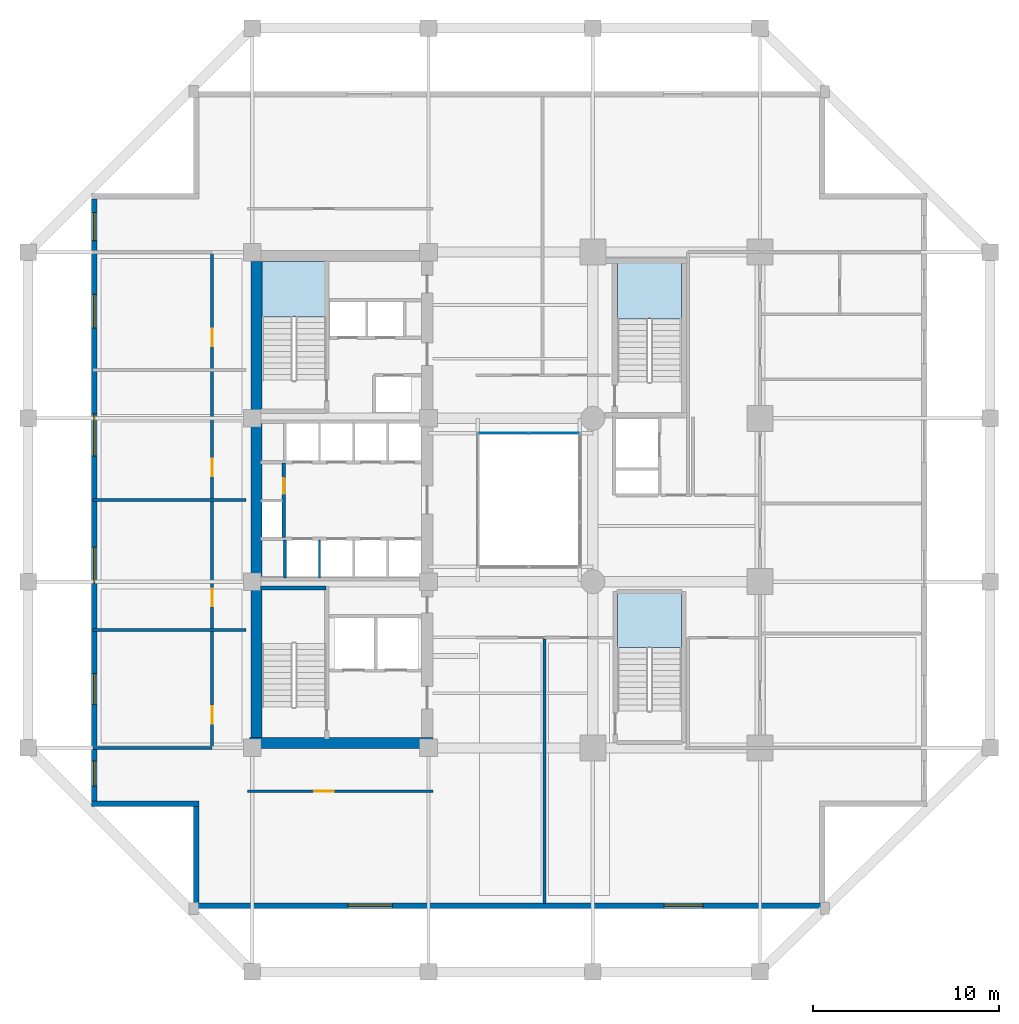
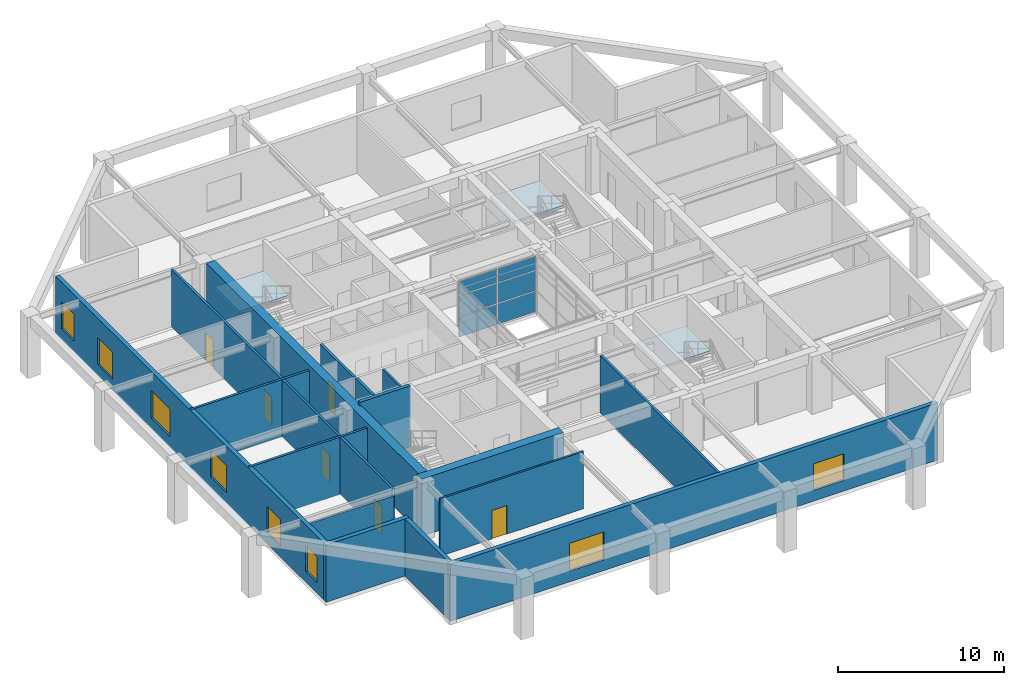
# One storey, part 6 of 13: 16 walls, 8 windows, 6 doors, 6 plates, 3 slabs, 14 openings, 4 elements without a shape of their own.
"""IFC4 building model written with IfcOpenShell, lengths in metres."""

from ifc_helpers import new_model, si_unit, direction, frame, frame_2d, origin, origin_2d, place, context, subcontext, project, spatial, polyline, rectangle, outline, extrude, material, layer, layer_set, type_object, element, fill, aggregate, save


model = new_model("IFC4")

# Units and contexts
model_context = context("Model", 3, precision=1e-05, world=origin(), true_north=direction((0.0, 1.0)))
body_context = subcontext(model_context, "Body", "Model", "MODEL_VIEW")
ifc_project = project(units=[si_unit("LENGTHUNIT", "METRE"), si_unit("AREAUNIT", "SQUARE_METRE"), si_unit("VOLUMEUNIT", "CUBIC_METRE"), si_unit("PLANEANGLEUNIT", "RADIAN"), si_unit("MASSUNIT", "GRAM", prefix="KILO")], contexts=[model_context])

# Site, building, storey
site_placement = place(None, origin())
site = spatial("IfcSite", under=ifc_project, at=site_placement, CompositionType="ELEMENT")
building_placement = place(site_placement, origin())
building = spatial("IfcBuilding", under=site, at=building_placement, Name="Kundavana Baori Tower", CompositionType="ELEMENT")
storey_placement = place(building_placement, frame((0.0, 0.0, 17.0)))
storey = spatial("IfcBuildingStorey", under=building, at=storey_placement, Name="L03", CompositionType="ELEMENT", Elevation=17.0)

# Curtain wall, plates
ifc_material_1 = material(Name="Thermally Broken Anodised Aluminium Framing", Category="aluminium")
ifc_layer_1 = layer(ifc_material_1, 0.175048828125, Name="CW-SYS-2")
ifc_layer_set_1 = layer_set([ifc_layer_1], Name="Thermally Broken Anodised Aluminium Framing")
curtain_wall_type = type_object("IfcCurtainWallType", Name="CW-SYS-2", PredefinedType="NOTDEFINED", material=ifc_layer_set_1)
curtain_wall_placement = place(storey_placement, origin())
curtain_wall = element("IfcCurtainWall", 1, at=curtain_wall_placement, inside=storey, type_object=curtain_wall_type, Name="L03 Atrium Glazed Curtain Wall N", PredefinedType="NOTDEFINED")
ifc_material_2 = material(Name="Double-Glazed Solar-Control Low-E Insulated Glass", Category="glass")
ifc_layer_2 = layer(ifc_material_2, 0.028076171875, Name="CW-PNL-GLS28")
ifc_layer_set_2 = layer_set([ifc_layer_2], Name="Double-Glazed Solar-Control Low-E Insulated Glass")
plate_type = type_object("IfcPlateType", Name="CW-PNL-GLS28", PredefinedType="CURTAIN_PANEL", material=ifc_layer_set_2)
plate_1_placement = place(storey_placement, frame((31.708740234375, 32.199951171875, 0.06494140625), z_axis=(0.0, 0.0, 1.0), x_axis=(-1.0, 0.0, 0.0)))
plate_1 = element("IfcPlate", 2, at=plate_1_placement, type_object=plate_type, Name="CW2 panel 1.1", PredefinedType="CURTAIN_PANEL", context=body_context, shape_type="SweptSolid", body=[
    extrude(rectangle(XDim=2.652587890625, YDim=0.028076171875, at=origin_2d()), origin(), (0.0, 0.0, 1.0), 1.506103515625),
])
plate_2_placement = place(storey_placement, frame((31.708740234375, 32.199951171875, 1.63623046875), z_axis=(0.0, 0.0, 1.0), x_axis=(-1.0, 0.0, 0.0)))
plate_2 = element("IfcPlate", 3, at=plate_2_placement, type_object=plate_type, Name="CW2 panel 1.2", PredefinedType="CURTAIN_PANEL", context=body_context, shape_type="SweptSolid", body=[
    extrude(rectangle(XDim=2.652587890625, YDim=0.028076171875, at=origin_2d()), origin(), (0.0, 0.0, 1.0), 1.4541015625),
])
plate_3_placement = place(storey_placement, frame((31.708740234375, 32.199951171875, 3.1552734375), z_axis=(0.0, 0.0, 1.0), x_axis=(-1.0, 0.0, 0.0)))
plate_3 = element("IfcPlate", 4, at=plate_3_placement, type_object=plate_type, Name="CW2 panel 1.3", PredefinedType="CURTAIN_PANEL", context=body_context, shape_type="SweptSolid", body=[
    extrude(rectangle(XDim=2.652587890625, YDim=0.028076171875, at=origin_2d()), origin(), (0.0, 0.0, 1.0), 0.999755859375),
])
plate_4_placement = place(storey_placement, frame((28.9912109375, 32.199951171875, 0.06494140625), z_axis=(0.0, 0.0, 1.0), x_axis=(-1.0, 0.0, 0.0)))
plate_4 = element("IfcPlate", 5, at=plate_4_placement, type_object=plate_type, Name="CW2 panel 2.1", PredefinedType="CURTAIN_PANEL", context=body_context, shape_type="SweptSolid", body=[
    extrude(rectangle(XDim=2.652587890625, YDim=0.028076171875, at=origin_2d()), origin(), (0.0, 0.0, 1.0), 1.506103515625),
])
plate_5_placement = place(storey_placement, frame((28.9912109375, 32.199951171875, 1.63623046875), z_axis=(0.0, 0.0, 1.0), x_axis=(-1.0, 0.0, 0.0)))
plate_5 = element("IfcPlate", 6, at=plate_5_placement, type_object=plate_type, Name="CW2 panel 2.2", PredefinedType="CURTAIN_PANEL", context=body_context, shape_type="SweptSolid", body=[
    extrude(rectangle(XDim=2.652587890625, YDim=0.028076171875, at=origin_2d()), origin(), (0.0, 0.0, 1.0), 1.4541015625),
])
plate_6_placement = place(storey_placement, frame((28.9912109375, 32.199951171875, 3.1552734375), z_axis=(0.0, 0.0, 1.0), x_axis=(-1.0, 0.0, 0.0)))
plate_6 = element("IfcPlate", 7, at=plate_6_placement, type_object=plate_type, Name="CW2 panel 2.3", PredefinedType="CURTAIN_PANEL", context=body_context, shape_type="SweptSolid", body=[
    extrude(rectangle(XDim=2.652587890625, YDim=0.028076171875, at=origin_2d()), origin(), (0.0, 0.0, 1.0), 0.999755859375),
])
aggregate(curtain_wall, [plate_1, plate_2, plate_3, plate_4, plate_5, plate_6])

# Stair, slab
ifc_material_3 = material(Name="Concrete C40/50", Category="concrete")
stair_type = type_object("IfcStairType", Name="STR-DOG-1650", PredefinedType="HALF_TURN_STAIR", material=ifc_material_3)
stair_1_placement = place(storey_placement, origin())
stair_1 = element("IfcStair", 8, at=stair_1_placement, inside=storey, type_object=stair_type, Name="L03 Protected Exit Stair ST2", PredefinedType="HALF_TURN_STAIR")
ifc_material_4 = material(Name="Concrete C40/50", Category="concrete")
ifc_layer_3 = layer(ifc_material_4, 0.199951171875, Name="SLB-LND-200")
ifc_layer_set_3 = layer_set([ifc_layer_3], Name="Concrete C40/50")
slab_type = type_object("IfcSlabType", Name="SLB-LND-200", PredefinedType="LANDING", material=ifc_layer_set_3)
slab_1_placement = place(storey_placement, frame((0.0, 0.0, 2.050048828125)))
slab_1 = element("IfcSlab", 9, at=slab_1_placement, type_object=slab_type, Name="ST2 landing 1", PredefinedType="LANDING", context=body_context, shape_type="SweptSolid", body=[
    extrude(outline(polyline([(19.43994140625, 38.4599609375), (19.43994140625, 41.449951171875), (15.97998046875, 41.449951171875), (15.97998046875, 38.4599609375), (19.43994140625, 38.4599609375)])), origin(), (0.0, 0.0, 1.0), 0.199951171875),
])
aggregate(stair_1, [slab_1])

stair_2_placement = place(storey_placement, origin())
stair_2 = element("IfcStair", 10, at=stair_2_placement, inside=storey, type_object=stair_type, Name="L03 Protected Exit Stair ST3", PredefinedType="HALF_TURN_STAIR")
slab_2_placement = place(storey_placement, frame((0.0, 0.0, 2.050048828125)))
slab_2 = element("IfcSlab", 11, at=slab_2_placement, type_object=slab_type, Name="ST3 landing 1", PredefinedType="LANDING", context=body_context, shape_type="SweptSolid", body=[
    extrude(outline(polyline([(38.580078125, 38.360107421875), (38.580078125, 41.35009765625), (35.1201171875, 41.35009765625), (35.1201171875, 38.360107421875), (38.580078125, 38.360107421875)])), origin(), (0.0, 0.0, 1.0), 0.199951171875),
])
aggregate(stair_2, [slab_2])

stair_3_placement = place(storey_placement, origin())
stair_3 = element("IfcStair", 12, at=stair_3_placement, inside=storey, type_object=stair_type, Name="L03 Podium Atrium Stair ST4", PredefinedType="HALF_TURN_STAIR")
slab_3_placement = place(storey_placement, frame((0.0, 0.0, 2.050048828125)))
slab_3 = element("IfcSlab", 13, at=slab_3_placement, type_object=slab_type, Name="ST4 landing 1", PredefinedType="LANDING", context=body_context, shape_type="SweptSolid", body=[
    extrude(outline(polyline([(38.580078125, 20.659912109375), (38.580078125, 23.64990234375), (35.1201171875, 23.64990234375), (35.1201171875, 20.659912109375), (38.580078125, 20.659912109375)])), origin(), (0.0, 0.0, 1.0), 0.199951171875),
])
aggregate(stair_3, [slab_3])

# Walls
ifc_material_5 = material(Name="Concrete C50/60", Category="concrete")
ifc_layer_4 = layer(ifc_material_5, 0.39990234375, Name="WL-CORE-400")
ifc_layer_set_4 = layer_set([ifc_layer_4], Name="Concrete C50/60")
wall_type_1 = type_object("IfcWallType", Name="WL-CORE-400", PredefinedType="SHEAR", material=ifc_layer_set_4)
wall_1_placement = place(storey_placement, frame((15.89990234375, 23.860107421875, 0.0), z_axis=(0.0, 0.0, 1.0), x_axis=(1.0, 0.0, 0.0)))
element("IfcWall", 14, at=wall_1_placement, inside=storey, type_object=wall_type_1, Name="WL-L03-ST1-N", PredefinedType="SHEAR", context=body_context, shape_type="SweptSolid", body=[
    extrude(rectangle(XDim=3.52001953125, YDim=0.239990234375, at=frame_2d((1.760009765625, 0.0))), origin(), (0.0, 0.0, 1.0), 4.5),
])
ifc_material_6 = material(Name="Concrete C60/75", Category="concrete")
ifc_layer_5 = layer(ifc_material_6, 0.60009765625, Name="WL-CORE-600")
ifc_layer_set_5 = layer_set([ifc_layer_5], Name="Concrete C60/75")
wall_type_2 = type_object("IfcWallType", Name="WL-CORE-600", PredefinedType="SHEAR", material=ifc_layer_set_5)
wall_2_placement = place(storey_placement, frame((15.300048828125, 15.510009765625, 0.0), z_axis=(0.0, 0.0, 1.0), x_axis=(1.0, 0.0, 0.0)))
element("IfcWall", 15, at=wall_2_placement, inside=storey, type_object=wall_type_2, Name="L03 Offset Core South Shear Wall", PredefinedType="SHEAR", context=body_context, shape_type="SweptSolid", body=[
    extrude(rectangle(XDim=9.8798828125, YDim=0.60009765625, at=frame_2d((4.93994140625, 0.0))), origin(), (0.0, 0.0, 1.0), 4.219970703125),
])
wall_3_placement = place(storey_placement, frame((15.68994140625, 15.81005859375, 0.0), z_axis=(0.0, 0.0, 1.0), x_axis=(0.0, 1.0, 0.0)))
element("IfcWall", 16, at=wall_3_placement, inside=storey, type_object=wall_type_2, Name="L03 Offset Core West Shear Wall", PredefinedType="SHEAR", context=body_context, shape_type="SweptSolid", body=[
    extrude(rectangle(XDim=25.6298828125, YDim=0.60009765625, at=frame_2d((12.81494140625, 0.0))), origin(), (0.0, 0.0, 1.0), 4.219970703125),
])

# Wall, openings, windows
ifc_material_7 = material(Name="Red-Buff Dholpur Sandstone Cladding on Concrete C40/50", Category="masonry")
ifc_layer_6 = layer(ifc_material_7, 0.300048828125, Name="WL-EXT-SAND-300")
ifc_layer_set_6 = layer_set([ifc_layer_6], Name="Red-Buff Dholpur Sandstone Cladding on Concrete C40/50")
wall_type_3 = type_object("IfcWallType", Name="WL-EXT-SAND-300", PredefinedType="STANDARD", material=ifc_layer_set_6)
wall_4_placement = place(storey_placement, frame((12.300048828125, 6.75, 0.0), z_axis=(0.0, 0.0, 1.0), x_axis=(1.0, 0.0, 0.0)))
wall_4 = element("IfcWall", 17, at=wall_4_placement, inside=storey, type_object=wall_type_3, Name="L03 Exterior Insulated Facade Wall 01", PredefinedType="STANDARD", context=body_context, shape_type="SweptSolid", body=[
    extrude(rectangle(XDim=34.0, YDim=0.300048828125, at=frame_2d((17.0, 0.0))), origin(), (0.0, 0.0, 1.0), 4.219970703125),
])
opening_1_placement = place(wall_4_placement, frame((8.304931640625, 0.0, 0.800048828125)))
opening_1 = element("IfcOpeningElement", 18, at=opening_1_placement, cuts=wall_4, Name="Opening W-04", PredefinedType="OPENING", context=body_context, shape_type="SweptSolid", body=[
    extrude(rectangle(XDim=2.39990234375, YDim=2.050048828125, at=frame_2d((1.199951171875, 1.02490234375))), frame((0.0, 0.16015625, 0.0), z_axis=(0.0, -1.0, 0.0), x_axis=(1.0, 0.0, 0.0)), (0.0, 0.0, 1.0), 0.320068359375),
])
opening_2_placement = place(wall_4_placement, frame((25.344970703125, 0.0, 0.800048828125)))
opening_2 = element("IfcOpeningElement", 19, at=opening_2_placement, cuts=wall_4, Name="Opening W-05", PredefinedType="OPENING", context=body_context, shape_type="SweptSolid", body=[
    extrude(rectangle(XDim=2.10009765625, YDim=1.949951171875, at=frame_2d((1.050048828125, 0.97509765625))), frame((0.0, 0.16015625, 0.0), z_axis=(0.0, -1.0, 0.0), x_axis=(1.0, 0.0, 0.0)), (0.0, 0.0, 1.0), 0.320068359375),
])
ifc_material_8 = material(Name="Double-Glazed Solar-Control Low-E Insulated Glass", Category="glass")
window_type_1 = type_object("IfcWindowType", Name="WIN-LOG-2100x1950", PartitioningType="SINGLE_PANEL", PredefinedType="WINDOW", material=ifc_material_8)
window_1_placement = place(opening_2_placement, origin())
window_1 = element("IfcWindow", 20, at=window_1_placement, inside=storey, type_object=window_type_1, Name="L03 Recessed Loggia Window S-2", OverallHeight=1.949951171875, OverallWidth=2.10009765625, PartitioningType="SINGLE_PANEL", PredefinedType="WINDOW", context=body_context, shape_type="SweptSolid", body=[
    extrude(rectangle(XDim=2.10009765625, YDim=1.949951171875, at=frame_2d((1.050048828125, 0.97509765625))), frame((0.0, 0.030029296875, 0.0), z_axis=(0.0, -1.0, 0.0), x_axis=(1.0, 0.0, 0.0)), (0.0, 0.0, 1.0), 0.06005859375),
])
fill(opening_2, window_1)
ifc_material_9 = material(Name="Double-Glazed Solar-Control Low-E Insulated Glass", Category="glass")
window_type_2 = type_object("IfcWindowType", Name="WIN-LOG-2400x2050", PartitioningType="SINGLE_PANEL", PredefinedType="WINDOW", material=ifc_material_9)
window_2_placement = place(opening_1_placement, origin())
window_2 = element("IfcWindow", 21, at=window_2_placement, inside=storey, type_object=window_type_2, Name="L03 Recessed Loggia Window S-1", OverallHeight=2.050048828125, OverallWidth=2.39990234375, PartitioningType="SINGLE_PANEL", PredefinedType="WINDOW", context=body_context, shape_type="SweptSolid", body=[
    extrude(rectangle(XDim=2.39990234375, YDim=2.050048828125, at=frame_2d((1.199951171875, 1.02490234375))), frame((0.0, 0.030029296875, 0.0), z_axis=(0.0, -1.0, 0.0), x_axis=(1.0, 0.0, 0.0)), (0.0, 0.0, 1.0), 0.06005859375),
])
fill(opening_1, window_2)

wall_5_placement = place(storey_placement, frame((6.949951171875, 44.800048828125, 0.0), z_axis=(0.0, 0.0, 1.0), x_axis=(0.0, -1.0, 0.0)))
wall_5 = element("IfcWall", 22, at=wall_5_placement, inside=storey, type_object=wall_type_3, Name="L03 Exterior Insulated Facade Wall 10", PredefinedType="STANDARD", context=body_context, shape_type="SweptSolid", body=[
    extrude(rectangle(XDim=32.400146484375, YDim=0.300048828125, at=frame_2d((16.2001953125, 0.0))), origin(), (0.0, 0.0, 1.0), 4.219970703125),
])
opening_3_placement = place(wall_5_placement, frame((30.2451171875, 0.0, 0.800048828125)))
opening_3 = element("IfcOpeningElement", 23, at=opening_3_placement, cuts=wall_5, Name="Opening W-07", PredefinedType="OPENING", context=body_context, shape_type="SweptSolid", body=[
    extrude(rectangle(XDim=1.35009765625, YDim=1.89990234375, at=frame_2d((0.675048828125, 0.949951171875))), frame((0.0, 0.16015625, 0.0), z_axis=(0.0, -1.0, 0.0), x_axis=(1.0, 0.0, 0.0)), (0.0, 0.0, 1.0), 0.320068359375),
])
opening_4_placement = place(wall_5_placement, frame((25.550048828125, 0.0, 0.800048828125)))
opening_4 = element("IfcOpeningElement", 24, at=opening_4_placement, cuts=wall_5, Name="Opening W-08", PredefinedType="OPENING", context=body_context, shape_type="SweptSolid", body=[
    extrude(rectangle(XDim=1.64990234375, YDim=1.949951171875, at=frame_2d((0.824951171875, 0.97509765625))), frame((0.0, 0.16015625, 0.0), z_axis=(0.0, -1.0, 0.0), x_axis=(1.0, 0.0, 0.0)), (0.0, 0.0, 1.0), 0.320068359375),
])
opening_5_placement = place(wall_5_placement, frame((18.72509765625, 0.0, 0.800048828125)))
opening_5 = element("IfcOpeningElement", 25, at=opening_5_placement, cuts=wall_5, Name="Opening W-09", PredefinedType="OPENING", context=body_context, shape_type="SweptSolid", body=[
    extrude(rectangle(XDim=1.949951171875, YDim=2.0, at=frame_2d((0.97509765625, 1.0))), frame((0.0, 0.16015625, 0.0), z_axis=(0.0, -1.0, 0.0), x_axis=(1.0, 0.0, 0.0)), (0.0, 0.0, 1.0), 0.320068359375),
])
opening_6_placement = place(wall_5_placement, frame((11.574951171875, 0.0, 0.800048828125)))
opening_6 = element("IfcOpeningElement", 26, at=opening_6_placement, cuts=wall_5, Name="Opening W-10", PredefinedType="OPENING", context=body_context, shape_type="SweptSolid", body=[
    extrude(rectangle(XDim=2.25, YDim=2.0, at=frame_2d((1.125, 1.0))), frame((0.0, 0.16015625, 0.0), z_axis=(0.0, -1.0, 0.0), x_axis=(1.0, 0.0, 0.0)), (0.0, 0.0, 1.0), 0.320068359375),
])
opening_7_placement = place(wall_5_placement, frame((5.125, 0.0, 0.800048828125)))
opening_7 = element("IfcOpeningElement", 27, at=opening_7_placement, cuts=wall_5, Name="Opening W-01", PredefinedType="OPENING", context=body_context, shape_type="SweptSolid", body=[
    extrude(rectangle(XDim=1.800048828125, YDim=2.0, at=frame_2d((0.89990234375, 1.0))), frame((0.0, 0.16015625, 0.0), z_axis=(0.0, -1.0, 0.0), x_axis=(1.0, 0.0, 0.0)), (0.0, 0.0, 1.0), 0.320068359375),
])
opening_8_placement = place(wall_5_placement, frame((0.72998046875, 0.0, 0.800048828125)))
opening_8 = element("IfcOpeningElement", 28, at=opening_8_placement, cuts=wall_5, Name="Opening W-02", PredefinedType="OPENING", context=body_context, shape_type="SweptSolid", body=[
    extrude(rectangle(XDim=1.5, YDim=2.0, at=frame_2d((0.75, 1.0))), frame((0.0, 0.16015625, 0.0), z_axis=(0.0, -1.0, 0.0), x_axis=(1.0, 0.0, 0.0)), (0.0, 0.0, 1.0), 0.320068359375),
])
ifc_material_10 = material(Name="Double-Glazed Solar-Control Low-E Insulated Glass", Category="glass")
window_type_3 = type_object("IfcWindowType", Name="WIN-LOG-1350x1900", PartitioningType="SINGLE_PANEL", PredefinedType="WINDOW", material=ifc_material_10)
window_3_placement = place(opening_3_placement, origin())
window_3 = element("IfcWindow", 29, at=window_3_placement, inside=storey, type_object=window_type_3, Name="L03 Recessed Loggia Window W-1", OverallHeight=1.89990234375, OverallWidth=1.35009765625, PartitioningType="SINGLE_PANEL", PredefinedType="WINDOW", context=body_context, shape_type="SweptSolid", body=[
    extrude(rectangle(XDim=1.35009765625, YDim=1.89990234375, at=frame_2d((0.675048828125, 0.949951171875))), frame((0.0, 0.030029296875, 0.0), z_axis=(0.0, -1.0, 0.0), x_axis=(1.0, 0.0, 0.0)), (0.0, 0.0, 1.0), 0.06005859375),
])
fill(opening_3, window_3)
ifc_material_11 = material(Name="Double-Glazed Solar-Control Low-E Insulated Glass", Category="glass")
window_type_4 = type_object("IfcWindowType", Name="WIN-LOG-1500x2000", PartitioningType="SINGLE_PANEL", PredefinedType="WINDOW", material=ifc_material_11)
window_4_placement = place(opening_8_placement, origin())
window_4 = element("IfcWindow", 30, at=window_4_placement, inside=storey, type_object=window_type_4, Name="L03 Recessed Loggia Window W-6", OverallHeight=2.0, OverallWidth=1.5, PartitioningType="SINGLE_PANEL", PredefinedType="WINDOW", context=body_context, shape_type="SweptSolid", body=[
    extrude(rectangle(XDim=1.5, YDim=2.0, at=frame_2d((0.75, 1.0))), frame((0.0, 0.030029296875, 0.0), z_axis=(0.0, -1.0, 0.0), x_axis=(1.0, 0.0, 0.0)), (0.0, 0.0, 1.0), 0.06005859375),
])
fill(opening_8, window_4)
ifc_material_12 = material(Name="Double-Glazed Solar-Control Low-E Insulated Glass", Category="glass")
window_type_5 = type_object("IfcWindowType", Name="WIN-LOG-1650x1950", PartitioningType="SINGLE_PANEL", PredefinedType="WINDOW", material=ifc_material_12)
window_5_placement = place(opening_4_placement, origin())
window_5 = element("IfcWindow", 31, at=window_5_placement, inside=storey, type_object=window_type_5, Name="L03 Recessed Loggia Window W-2", OverallHeight=1.949951171875, OverallWidth=1.64990234375, PartitioningType="SINGLE_PANEL", PredefinedType="WINDOW", context=body_context, shape_type="SweptSolid", body=[
    extrude(rectangle(XDim=1.64990234375, YDim=1.949951171875, at=frame_2d((0.824951171875, 0.97509765625))), frame((0.0, 0.030029296875, 0.0), z_axis=(0.0, -1.0, 0.0), x_axis=(1.0, 0.0, 0.0)), (0.0, 0.0, 1.0), 0.06005859375),
])
fill(opening_4, window_5)
ifc_material_13 = material(Name="Double-Glazed Solar-Control Low-E Insulated Glass", Category="glass")
window_type_6 = type_object("IfcWindowType", Name="WIN-LOG-1800x2000", PartitioningType="SINGLE_PANEL", PredefinedType="WINDOW", material=ifc_material_13)
window_6_placement = place(opening_7_placement, origin())
window_6 = element("IfcWindow", 32, at=window_6_placement, inside=storey, type_object=window_type_6, Name="L03 Recessed Loggia Window W-5", OverallHeight=2.0, OverallWidth=1.800048828125, PartitioningType="SINGLE_PANEL", PredefinedType="WINDOW", context=body_context, shape_type="SweptSolid", body=[
    extrude(rectangle(XDim=1.800048828125, YDim=2.0, at=frame_2d((0.89990234375, 1.0))), frame((0.0, 0.030029296875, 0.0), z_axis=(0.0, -1.0, 0.0), x_axis=(1.0, 0.0, 0.0)), (0.0, 0.0, 1.0), 0.06005859375),
])
fill(opening_7, window_6)
ifc_material_14 = material(Name="Double-Glazed Solar-Control Low-E Insulated Glass", Category="glass")
window_type_7 = type_object("IfcWindowType", Name="WIN-LOG-1950x2000", PartitioningType="SINGLE_PANEL", PredefinedType="WINDOW", material=ifc_material_14)
window_7_placement = place(opening_5_placement, origin())
window_7 = element("IfcWindow", 33, at=window_7_placement, inside=storey, type_object=window_type_7, Name="L03 Recessed Loggia Window W-3", OverallHeight=2.0, OverallWidth=1.949951171875, PartitioningType="SINGLE_PANEL", PredefinedType="WINDOW", context=body_context, shape_type="SweptSolid", body=[
    extrude(rectangle(XDim=1.949951171875, YDim=2.0, at=frame_2d((0.97509765625, 1.0))), frame((0.0, 0.030029296875, 0.0), z_axis=(0.0, -1.0, 0.0), x_axis=(1.0, 0.0, 0.0)), (0.0, 0.0, 1.0), 0.06005859375),
])
fill(opening_5, window_7)
ifc_material_15 = material(Name="Double-Glazed Solar-Control Low-E Insulated Glass", Category="glass")
window_type_8 = type_object("IfcWindowType", Name="WIN-LOG-2250x2000", PartitioningType="SINGLE_PANEL", PredefinedType="WINDOW", material=ifc_material_15)
window_8_placement = place(opening_6_placement, origin())
window_8 = element("IfcWindow", 34, at=window_8_placement, inside=storey, type_object=window_type_8, Name="L03 Recessed Loggia Window W-4", OverallHeight=2.0, OverallWidth=2.25, PartitioningType="SINGLE_PANEL", PredefinedType="WINDOW", context=body_context, shape_type="SweptSolid", body=[
    extrude(rectangle(XDim=2.25, YDim=2.0, at=frame_2d((1.125, 1.0))), frame((0.0, 0.030029296875, 0.0), z_axis=(0.0, -1.0, 0.0), x_axis=(1.0, 0.0, 0.0)), (0.0, 0.0, 1.0), 0.06005859375),
])
fill(opening_6, window_8)

# Walls
wall_6_placement = place(storey_placement, frame((6.800048828125, 12.25, 0.0), z_axis=(0.0, 0.0, 1.0), x_axis=(1.0, 0.0, 0.0)))
element("IfcWall", 35, at=wall_6_placement, inside=storey, type_object=wall_type_3, Name="L03 Exterior Insulated Facade Wall 11", PredefinedType="STANDARD", context=body_context, shape_type="SweptSolid", body=[
    extrude(rectangle(XDim=5.800048828125, YDim=0.300048828125, at=frame_2d((2.89990234375, 0.0))), origin(), (0.0, 0.0, 1.0), 4.219970703125),
])
wall_7_placement = place(storey_placement, frame((12.449951171875, 12.10009765625, 0.0), z_axis=(0.0, 0.0, 1.0), x_axis=(0.0, -1.0, 0.0)))
element("IfcWall", 36, at=wall_7_placement, inside=storey, type_object=wall_type_3, Name="L03 Exterior Insulated Facade Wall 12", PredefinedType="STANDARD", context=body_context, shape_type="SweptSolid", body=[
    extrude(rectangle(XDim=5.2001953125, YDim=0.300048828125, at=frame_2d((2.60009765625, 0.0))), origin(), (0.0, 0.0, 1.0), 4.219970703125),
])
ifc_material_16 = material(Name="Acoustic Gypsum Plasterboard on Galvanised Steel Studs", Category="steel")
ifc_layer_7 = layer(ifc_material_16, 0.1201171875, Name="WL-PART-120")
ifc_layer_set_7 = layer_set([ifc_layer_7], Name="Acoustic Gypsum Plasterboard on Galvanised Steel Studs")
wall_type_4 = type_object("IfcWallType", Name="WL-PART-120", PredefinedType="PARTITIONING", material=ifc_layer_set_7)
wall_8_placement = place(storey_placement, frame((19.080078125, 24.39990234375, 0.0), z_axis=(0.0, 0.0, 1.0), x_axis=(0.0, 1.0, 0.0)))
element("IfcWall", 37, at=wall_8_placement, inside=storey, type_object=wall_type_4, Name="WL-L03-LPLOW-D1", PredefinedType="PARTITIONING", context=body_context, shape_type="SweptSolid", body=[
    extrude(rectangle(XDim=2.050048828125, YDim=0.1201171875, at=frame_2d((1.02490234375, 0.0))), origin(), (0.0, 0.0, 1.0), 4.219970703125),
])

# Wall, opening, door
ifc_material_17 = material(Name="Acoustic Gypsum Plasterboard on Galvanised Steel Studs", Category="steel")
ifc_layer_8 = layer(ifc_material_17, 0.135009765625, Name="WL-PART-135")
ifc_layer_set_8 = layer_set([ifc_layer_8], Name="Acoustic Gypsum Plasterboard on Galvanised Steel Studs")
wall_type_5 = type_object("IfcWallType", Name="WL-PART-135", PredefinedType="PARTITIONING", material=ifc_layer_set_8)
wall_9_placement = place(storey_placement, frame((15.199951171875, 12.919921875, 0.0), z_axis=(0.0, 0.0, 1.0), x_axis=(1.0, 0.0, 0.0)))
wall_9 = element("IfcWall", 38, at=wall_9_placement, inside=storey, type_object=wall_type_5, Name="WL-L03-SC", PredefinedType="PARTITIONING", context=body_context, shape_type="SweptSolid", body=[
    extrude(rectangle(XDim=10.0, YDim=0.135009765625, at=frame_2d((5.0, 0.0))), origin(), (0.0, 0.0, 1.0), 4.219970703125),
])
opening_9_placement = place(wall_9_placement, frame((3.60009765625, 0.0, 0.0)))
opening_9 = element("IfcOpeningElement", 39, at=opening_9_placement, cuts=wall_9, Name="Opening ID-105", PredefinedType="OPENING", context=body_context, shape_type="SweptSolid", body=[
    extrude(rectangle(XDim=1.050048828125, YDim=2.10009765625, at=frame_2d((0.52490234375, 1.050048828125))), frame((0.0, 0.07763671875, 0.0), z_axis=(0.0, -1.0, 0.0), x_axis=(1.0, 0.0, 0.0)), (0.0, 0.0, 1.0), 0.155029296875),
])
ifc_material_18 = material(Name="Engineered Teak Solid-Core Timber Veneer", Category="wood")
door_type_1 = type_object("IfcDoorType", Name="DR-INT-1050", OperationType="NOTDEFINED", PredefinedType="DOOR", material=ifc_material_18)
door_1_placement = place(opening_9_placement, frame((1.050048828125, 0.0, 0.0), z_axis=(0.0, 0.0, 1.0), x_axis=(-1.0, 0.0, 0.0)))
door_1 = element("IfcDoor", 40, at=door_1_placement, inside=storey, type_object=door_type_1, Name="DR-L03-RSW", OperationType="SINGLE_SWING_LEFT", OverallHeight=2.10009765625, OverallWidth=1.050048828125, PredefinedType="DOOR", context=body_context, shape_type="SweptSolid", body=[
    extrude(rectangle(XDim=1.050048828125, YDim=2.10009765625, at=frame_2d((0.52490234375, 1.050048828125))), frame((0.0, 0.02490234375, 0.0), z_axis=(0.0, -1.0, 0.0), x_axis=(1.0, 0.0, 0.0)), (0.0, 0.0, 1.0), 0.050048828125),
])
fill(opening_9, door_1)

# Wall, openings, doors
ifc_material_19 = material(Name="Fire-Rated Gypsum Drywall on Galvanised Steel Studs", Category="steel")
ifc_layer_9 = layer(ifc_material_19, 0.1650390625, Name="WL-PART-165")
ifc_layer_set_9 = layer_set([ifc_layer_9], Name="Fire-Rated Gypsum Drywall on Galvanised Steel Studs")
wall_type_6 = type_object("IfcWallType", Name="WL-PART-165", PredefinedType="PARTITIONING", material=ifc_layer_set_9)
wall_10_placement = place(storey_placement, frame((13.300048828125, 15.25, 0.0), z_axis=(0.0, 0.0, 1.0), x_axis=(0.0, 1.0, 0.0)))
wall_10 = element("IfcWall", 41, at=wall_10_placement, inside=storey, type_object=wall_type_6, Name="WL-L03-PWE", PredefinedType="PARTITIONING", context=body_context, shape_type="SweptSolid", body=[
    extrude(rectangle(XDim=26.699951171875, YDim=0.1650390625, at=frame_2d((13.35009765625, 0.0))), origin(), (0.0, 0.0, 1.0), 4.219970703125),
])
opening_10_placement = place(wall_10_placement, frame((1.300048828125, 0.0, 0.0)))
opening_10 = element("IfcOpeningElement", 42, at=opening_10_placement, cuts=wall_10, Name="Opening ID-095", PredefinedType="OPENING", context=body_context, shape_type="SweptSolid", body=[
    extrude(rectangle(XDim=0.949951171875, YDim=2.080078125, at=frame_2d((0.47509765625, 1.0400390625))), frame((0.0, 0.092529296875, 0.0), z_axis=(0.0, -1.0, 0.0), x_axis=(1.0, 0.0, 0.0)), (0.0, 0.0, 1.0), 0.18505859375),
])
opening_11_placement = place(wall_10_placement, frame((7.6298828125, 0.0, 0.0)))
opening_11 = element("IfcOpeningElement", 43, at=opening_11_placement, cuts=wall_10, Name="Opening ID-095", PredefinedType="OPENING", context=body_context, shape_type="SweptSolid", body=[
    extrude(rectangle(XDim=0.949951171875, YDim=2.080078125, at=frame_2d((0.47509765625, 1.0400390625))), frame((0.0, 0.092529296875, 0.0), z_axis=(0.0, -1.0, 0.0), x_axis=(1.0, 0.0, 0.0)), (0.0, 0.0, 1.0), 0.18505859375),
])
opening_12_placement = place(wall_10_placement, frame((14.6298828125, 0.0, 0.0)))
opening_12 = element("IfcOpeningElement", 44, at=opening_12_placement, cuts=wall_10, Name="Opening ID-095", PredefinedType="OPENING", context=body_context, shape_type="SweptSolid", body=[
    extrude(rectangle(XDim=0.949951171875, YDim=2.080078125, at=frame_2d((0.47509765625, 1.0400390625))), frame((0.0, 0.092529296875, 0.0), z_axis=(0.0, -1.0, 0.0), x_axis=(1.0, 0.0, 0.0)), (0.0, 0.0, 1.0), 0.18505859375),
])
opening_13_placement = place(wall_10_placement, frame((21.6298828125, 0.0, 0.0)))
opening_13 = element("IfcOpeningElement", 45, at=opening_13_placement, cuts=wall_10, Name="Opening ID-095", PredefinedType="OPENING", context=body_context, shape_type="SweptSolid", body=[
    extrude(rectangle(XDim=0.949951171875, YDim=2.080078125, at=frame_2d((0.47509765625, 1.0400390625))), frame((0.0, 0.092529296875, 0.0), z_axis=(0.0, -1.0, 0.0), x_axis=(1.0, 0.0, 0.0)), (0.0, 0.0, 1.0), 0.18505859375),
])
ifc_material_20 = material(Name="Engineered Teak Solid-Core Timber Veneer", Category="wood")
door_type_2 = type_object("IfcDoorType", Name="DR-INT-950", OperationType="NOTDEFINED", PredefinedType="DOOR", material=ifc_material_20)
door_2_placement = place(opening_10_placement, origin())
door_2 = element("IfcDoor", 46, at=door_2_placement, inside=storey, type_object=door_type_2, Name="DR-L03-SMW1", OperationType="SINGLE_SWING_LEFT", OverallHeight=2.080078125, OverallWidth=0.949951171875, PredefinedType="DOOR", context=body_context, shape_type="SweptSolid", body=[
    extrude(rectangle(XDim=0.949951171875, YDim=2.080078125, at=frame_2d((0.47509765625, 1.0400390625))), frame((0.0, 0.02490234375, 0.0), z_axis=(0.0, -1.0, 0.0), x_axis=(1.0, 0.0, 0.0)), (0.0, 0.0, 1.0), 0.050048828125),
])
fill(opening_10, door_2)
door_3_placement = place(opening_11_placement, origin())
door_3 = element("IfcDoor", 47, at=door_3_placement, inside=storey, type_object=door_type_2, Name="DR-L03-SMW2", OperationType="SINGLE_SWING_LEFT", OverallHeight=2.080078125, OverallWidth=0.949951171875, PredefinedType="DOOR", context=body_context, shape_type="SweptSolid", body=[
    extrude(rectangle(XDim=0.949951171875, YDim=2.080078125, at=frame_2d((0.47509765625, 1.0400390625))), frame((0.0, 0.02490234375, 0.0), z_axis=(0.0, -1.0, 0.0), x_axis=(1.0, 0.0, 0.0)), (0.0, 0.0, 1.0), 0.050048828125),
])
fill(opening_11, door_3)
door_4_placement = place(opening_12_placement, origin())
door_4 = element("IfcDoor", 48, at=door_4_placement, inside=storey, type_object=door_type_2, Name="DR-L03-SMW3", OperationType="SINGLE_SWING_LEFT", OverallHeight=2.080078125, OverallWidth=0.949951171875, PredefinedType="DOOR", context=body_context, shape_type="SweptSolid", body=[
    extrude(rectangle(XDim=0.949951171875, YDim=2.080078125, at=frame_2d((0.47509765625, 1.0400390625))), frame((0.0, 0.02490234375, 0.0), z_axis=(0.0, -1.0, 0.0), x_axis=(1.0, 0.0, 0.0)), (0.0, 0.0, 1.0), 0.050048828125),
])
fill(opening_12, door_4)
door_5_placement = place(opening_13_placement, origin())
door_5 = element("IfcDoor", 49, at=door_5_placement, inside=storey, type_object=door_type_2, Name="DR-L03-SMW4", OperationType="SINGLE_SWING_LEFT", OverallHeight=2.080078125, OverallWidth=0.949951171875, PredefinedType="DOOR", context=body_context, shape_type="SweptSolid", body=[
    extrude(rectangle(XDim=0.949951171875, YDim=2.080078125, at=frame_2d((0.47509765625, 1.0400390625))), frame((0.0, 0.02490234375, 0.0), z_axis=(0.0, -1.0, 0.0), x_axis=(1.0, 0.0, 0.0)), (0.0, 0.0, 1.0), 0.050048828125),
])
fill(opening_13, door_5)

# Walls
wall_11_placement = place(storey_placement, frame((6.8798828125, 15.25, 0.0), z_axis=(0.0, 0.0, 1.0), x_axis=(1.0, 0.0, 0.0)))
element("IfcWall", 50, at=wall_11_placement, inside=storey, type_object=wall_type_6, Name="WL-L03-PW-S", PredefinedType="PARTITIONING", context=body_context, shape_type="SweptSolid", body=[
    extrude(rectangle(XDim=6.420166015625, YDim=0.1650390625, at=frame_2d((3.2099609375, 0.0))), origin(), (0.0, 0.0, 1.0), 3.719970703125),
])
wall_12_placement = place(storey_placement, frame((31.199951171875, 6.8798828125, 0.0), z_axis=(0.0, 0.0, 1.0), x_axis=(0.0, 1.0, 0.0)))
element("IfcWall", 51, at=wall_12_placement, inside=storey, type_object=wall_type_6, Name="WL-L03-BS1", PredefinedType="PARTITIONING", context=body_context, shape_type="SweptSolid", body=[
    extrude(rectangle(XDim=14.240234375, YDim=0.1650390625, at=frame_2d((7.1201171875, 0.0))), origin(), (0.0, 0.0, 1.0), 4.219970703125),
])
for number, where, z_axis, x_axis, name in (
    (52, (6.8798828125, 21.60009765625, 0.0), (0.0, 0.0, 1.0), (1.0, 0.0, 0.0), "WL-L03-GW1"),
    (53, (6.8798828125, 28.60009765625, 0.0), (0.0, 0.0, 1.0), (1.0, 0.0, 0.0), "WL-L03-GW2"),
):
    element("IfcWall", number, at=place(storey_placement, frame(where, z_axis=z_axis, x_axis=x_axis)), inside=storey, type_object=wall_type_6, Name=name, PredefinedType="PARTITIONING", context=body_context, shape_type="SweptSolid", body=[
        extrude(rectangle(XDim=8.240234375, YDim=0.1650390625, at=frame_2d((4.1201171875, 0.0))), origin(), (0.0, 0.0, 1.0), 4.219970703125),
    ])
ifc_material_21 = material(Name="Autoclaved Aerated Concrete Blockwork Masonry", Category="masonry")
ifc_layer_10 = layer(ifc_material_21, 0.179931640625, Name="WL-SHAFT-180")
ifc_layer_set_10 = layer_set([ifc_layer_10], Name="Autoclaved Aerated Concrete Blockwork Masonry")
wall_type_7 = type_object("IfcWallType", Name="WL-SHAFT-180", PredefinedType="SOLIDWALL", material=ifc_layer_set_10)
wall_13_placement = place(storey_placement, frame((17.219970703125, 24.39990234375, 0.0), z_axis=(0.0, 0.0, 1.0), x_axis=(0.0, 1.0, 0.0)))
element("IfcWall", 54, at=wall_13_placement, inside=storey, type_object=wall_type_7, Name="WL-L03-LPLOW-W", PredefinedType="SOLIDWALL", context=body_context, shape_type="SweptSolid", body=[
    extrude(rectangle(XDim=2.050048828125, YDim=0.179931640625, at=frame_2d((1.02490234375, 0.0))), origin(), (0.0, 0.0, 1.0), 4.219970703125),
])

# Wall, opening, door
wall_14_placement = place(storey_placement, frame((17.159912109375, 26.580078125, 0.0), z_axis=(0.0, 0.0, 1.0), x_axis=(0.0, 1.0, 0.0)))
wall_14 = element("IfcWall", 55, at=wall_14_placement, inside=storey, type_object=wall_type_7, Name="WL-L03-RSRW-E", PredefinedType="SOLIDWALL", context=body_context, shape_type="SweptSolid", body=[
    extrude(rectangle(XDim=4.02001953125, YDim=0.179931640625, at=frame_2d((2.010009765625, 0.0))), origin(), (0.0, 0.0, 1.0), 4.219970703125),
])
opening_14_placement = place(wall_14_placement, frame((2.35009765625, 0.0, 0.0)))
opening_14 = element("IfcOpeningElement", 56, at=opening_14_placement, cuts=wall_14, Name="Opening FD-085", PredefinedType="OPENING", context=body_context, shape_type="SweptSolid", body=[
    extrude(rectangle(XDim=0.85009765625, YDim=2.06005859375, at=frame_2d((0.425048828125, 1.030029296875))), frame((0.0, 0.10009765625, 0.0), z_axis=(0.0, -1.0, 0.0), x_axis=(1.0, 0.0, 0.0)), (0.0, 0.0, 1.0), 0.199951171875),
])
ifc_material_22 = material(Name="Galvanised Steel Fire-Rated Door Leaf", Category="steel")
door_type_3 = type_object("IfcDoorType", Name="DR-FD60-850", OperationType="NOTDEFINED", PredefinedType="DOOR", material=ifc_material_22)
door_6_placement = place(opening_14_placement, origin())
door_6 = element("IfcDoor", 57, at=door_6_placement, inside=storey, type_object=door_type_3, Name="DR-L03-CLN", OperationType="SINGLE_SWING_RIGHT", OverallHeight=2.06005859375, OverallWidth=0.85009765625, PredefinedType="DOOR", context=body_context, shape_type="SweptSolid", body=[
    extrude(rectangle(XDim=0.85009765625, YDim=2.06005859375, at=frame_2d((0.425048828125, 1.030029296875))), frame((0.0, 0.02490234375, 0.0), z_axis=(0.0, -1.0, 0.0), x_axis=(1.0, 0.0, 0.0)), (0.0, 0.0, 1.0), 0.050048828125),
])
fill(opening_14, door_6)

save(model, "model.ifc")
